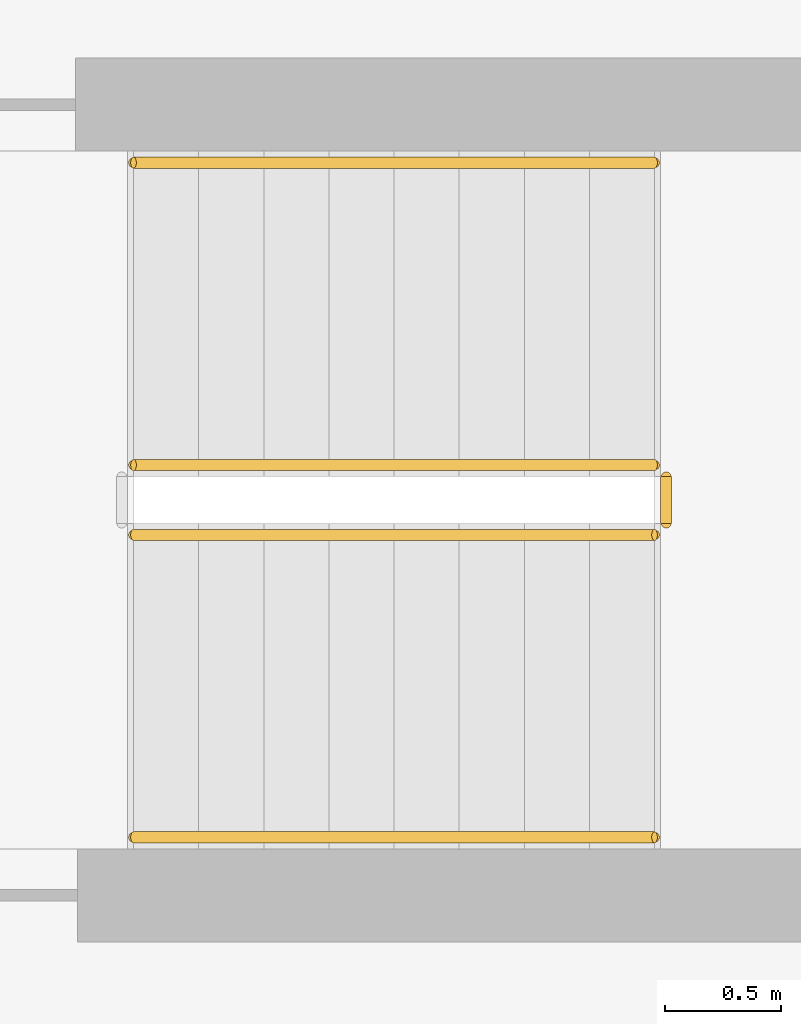
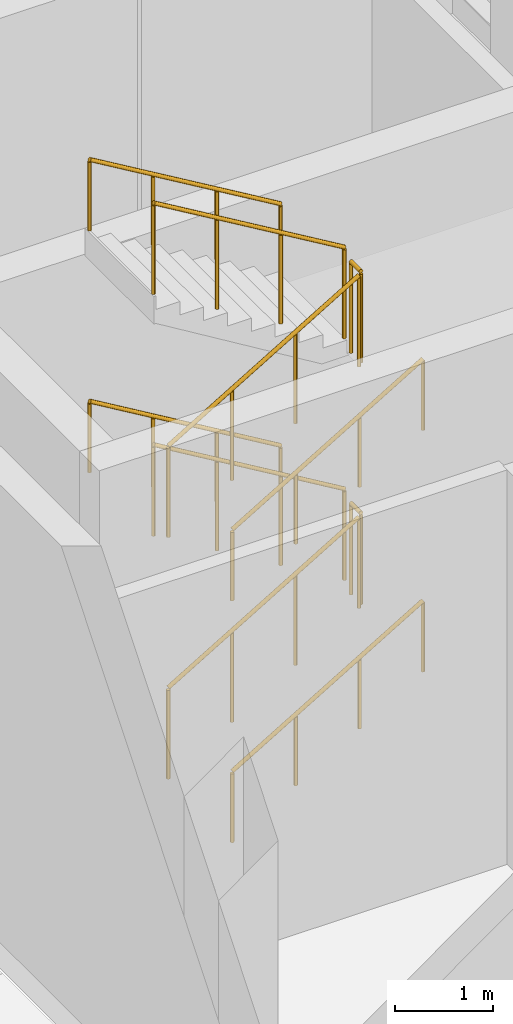
# One storey, part 33 of 34: 10 railings.
"""IFC4 building model written with IfcOpenShell, lengths in metres."""

from ifc_helpers import new_model, si_unit, direction, frame, origin, origin_2d, place, context, subcontext, project, spatial, circle, extrude, material, type_object, element, save


model = new_model("IFC4")

# Units and contexts
model_context = context("Model", 3, precision=1e-05, world=origin(), true_north=direction((0.0, 1.0)))
body_context = subcontext(model_context, "Body", "Model", "MODEL_VIEW")
ifc_project = project(units=[si_unit("LENGTHUNIT", "METRE"), si_unit("AREAUNIT", "SQUARE_METRE"), si_unit("VOLUMEUNIT", "CUBIC_METRE"), si_unit("PLANEANGLEUNIT", "RADIAN"), si_unit("MASSUNIT", "GRAM", prefix="KILO")], contexts=[model_context])

# Site, building, storey
site_placement = place(None, origin())
site = spatial("IfcSite", under=ifc_project, at=site_placement, CompositionType="ELEMENT")
building_placement = place(site_placement, origin())
building = spatial("IfcBuilding", under=site, at=building_placement, Name="Barlavira Tower and Art Museum", CompositionType="ELEMENT")
storey_placement = place(building_placement, origin())
storey = spatial("IfcBuildingStorey", under=building, at=storey_placement, Name="L00", CompositionType="ELEMENT", Elevation=0.0)

# Railings
ifc_material = material(Name="Brushed stainless steel", Category="steel")
railing_type_1 = type_object("IfcRailingType", Name="Interior Void and Landing Guard Railing 1150", PredefinedType="GUARDRAIL", material=ifc_material)
railing_1_placement = place(storey_placement, frame((32.070068359375, 17.949951171875, 0.166748046875)))
element("IfcRailing", 1, at=railing_1_placement, inside=storey, type_object=railing_type_1, Name="L00 ST-M2 stair guard 1", PredefinedType="GUARDRAIL", context=body_context, shape_type="SweptSolid", body=[
    extrude(circle(Radius=0.02392578125, at=origin_2d()), frame((0.0, 0.0, 1.1259765625), z_axis=(0.859305625298, 0.0, 0.511462454469), x_axis=(0.0, 1.0, 0.0)), (0.0, 0.0, 1.0), 2.606689453125),
    extrude(circle(Radius=0.02099609375, at=origin_2d()), origin(), (0.0, 0.0, 1.0), 1.101806640625),
    extrude(circle(Radius=0.02099609375, at=origin_2d()), frame((0.74658203125, 0.0, 0.4443359375)), (0.0, 0.0, 1.0), 1.101806640625),
    extrude(circle(Radius=0.02099609375, at=origin_2d()), frame((1.493408203125, 0.0, 0.888916015625)), (0.0, 0.0, 1.0), 1.101806640625),
    extrude(circle(Radius=0.02099609375, at=origin_2d()), frame((2.239990234375, 0.0, 1.333251953125)), (0.0, 0.0, 1.0), 1.101806640625),
])
railing_2_placement = place(storey_placement, frame((34.360107421875, 18.0, 1.5)))
element("IfcRailing", 2, at=railing_2_placement, inside=storey, type_object=railing_type_1, Name="L00 ST-M2 stair guard 2", PredefinedType="GUARDRAIL", context=body_context, shape_type="SweptSolid", body=[
    extrude(circle(Radius=0.02392578125, at=origin_2d()), frame((0.0, 0.0, 1.1259765625), z_axis=(0.0, 1.0, 0.0), x_axis=(-1.0, 0.0, 0.0)), (0.0, 0.0, 1.0), 0.199951171875),
    extrude(circle(Radius=0.02099609375, at=origin_2d()), origin(), (0.0, 0.0, 1.0), 1.101806640625),
    extrude(circle(Radius=0.02099609375, at=origin_2d()), frame((0.0, 0.199951171875, 0.0)), (0.0, 0.0, 1.0), 1.101806640625),
])
railing_3_placement = place(storey_placement, frame((34.31005859375, 18.25, 1.666748046875)))
element("IfcRailing", 3, at=railing_3_placement, inside=storey, type_object=railing_type_1, Name="L00 ST-M2 stair guard 3", PredefinedType="GUARDRAIL", context=body_context, shape_type="SweptSolid", body=[
    extrude(circle(Radius=0.02392578125, at=origin_2d()), frame((0.0, 0.0, 1.1259765625), z_axis=(-0.859305625298, 0.0, 0.511462454469), x_axis=(0.0, -1.0, 0.0)), (0.0, 0.0, 1.0), 2.606689453125),
    extrude(circle(Radius=0.02099609375, at=origin_2d()), origin(), (0.0, 0.0, 1.0), 1.101806640625),
    extrude(circle(Radius=0.02099609375, at=origin_2d()), frame((-0.74658203125, 0.0, 0.4443359375)), (0.0, 0.0, 1.0), 1.101806640625),
    extrude(circle(Radius=0.02099609375, at=origin_2d()), frame((-1.493408203125, 0.0, 0.888916015625)), (0.0, 0.0, 1.0), 1.101806640625),
    extrude(circle(Radius=0.02099609375, at=origin_2d()), frame((-2.239990234375, 0.0, 1.333251953125)), (0.0, 0.0, 1.0), 1.101806640625),
])
railing_4_placement = place(storey_placement, frame((32.070068359375, 17.949951171875, 3.166748046875)))
element("IfcRailing", 4, at=railing_4_placement, inside=storey, type_object=railing_type_1, Name="L00 ST-M2 stair guard 5", PredefinedType="GUARDRAIL", context=body_context, shape_type="SweptSolid", body=[
    extrude(circle(Radius=0.02392578125, at=origin_2d()), frame((0.0, 0.0, 1.1259765625), z_axis=(0.859305625298, 0.0, 0.511462454469), x_axis=(0.0, 1.0, 0.0)), (0.0, 0.0, 1.0), 2.606689453125),
    extrude(circle(Radius=0.02099609375, at=origin_2d()), origin(), (0.0, 0.0, 1.0), 1.101806640625),
    extrude(circle(Radius=0.02099609375, at=origin_2d()), frame((0.74658203125, 0.0, 0.4443359375)), (0.0, 0.0, 1.0), 1.101806640625),
    extrude(circle(Radius=0.02099609375, at=origin_2d()), frame((1.493408203125, 0.0, 0.888916015625)), (0.0, 0.0, 1.0), 1.101806640625),
    extrude(circle(Radius=0.02099609375, at=origin_2d()), frame((2.239990234375, 0.0, 1.333251953125)), (0.0, 0.0, 1.0), 1.101806640625),
])
railing_5_placement = place(storey_placement, frame((34.360107421875, 18.0, 4.5)))
element("IfcRailing", 5, at=railing_5_placement, inside=storey, type_object=railing_type_1, Name="L00 ST-M2 stair guard 6", PredefinedType="GUARDRAIL", context=body_context, shape_type="SweptSolid", body=[
    extrude(circle(Radius=0.02392578125, at=origin_2d()), frame((0.0, 0.0, 1.1259765625), z_axis=(0.0, 1.0, 0.0), x_axis=(-1.0, 0.0, 0.0)), (0.0, 0.0, 1.0), 0.199951171875),
    extrude(circle(Radius=0.02099609375, at=origin_2d()), origin(), (0.0, 0.0, 1.0), 1.101806640625),
    extrude(circle(Radius=0.02099609375, at=origin_2d()), frame((0.0, 0.199951171875, 0.0)), (0.0, 0.0, 1.0), 1.101806640625),
])
railing_6_placement = place(storey_placement, frame((34.31005859375, 18.25, 4.666748046875)))
element("IfcRailing", 6, at=railing_6_placement, inside=storey, type_object=railing_type_1, Name="L00 ST-M2 stair guard 7", PredefinedType="GUARDRAIL", context=body_context, shape_type="SweptSolid", body=[
    extrude(circle(Radius=0.02392578125, at=origin_2d()), frame((0.0, 0.0, 1.1259765625), z_axis=(-0.859305625298, 0.0, 0.511462454469), x_axis=(0.0, -1.0, 0.0)), (0.0, 0.0, 1.0), 2.606689453125),
    extrude(circle(Radius=0.02099609375, at=origin_2d()), origin(), (0.0, 0.0, 1.0), 1.101806640625),
    extrude(circle(Radius=0.02099609375, at=origin_2d()), frame((-0.74658203125, 0.0, 0.4443359375)), (0.0, 0.0, 1.0), 1.101806640625),
    extrude(circle(Radius=0.02099609375, at=origin_2d()), frame((-1.493408203125, 0.0, 0.888916015625)), (0.0, 0.0, 1.0), 1.101806640625),
    extrude(circle(Radius=0.02099609375, at=origin_2d()), frame((-2.239990234375, 0.0, 1.333251953125)), (0.0, 0.0, 1.0), 1.101806640625),
])
railing_type_2 = type_object("IfcRailingType", Name="Stair Pitch Tubular Steel Handrail 920", PredefinedType="HANDRAIL", material=ifc_material)
railing_7_placement = place(storey_placement, frame((32.070068359375, 16.64990234375, 0.166748046875)))
element("IfcRailing", 7, at=railing_7_placement, inside=storey, type_object=railing_type_2, Name="L00 ST-M2 stair handrail 1", PredefinedType="HANDRAIL", context=body_context, shape_type="SweptSolid", body=[
    extrude(circle(Radius=0.02392578125, at=origin_2d()), frame((0.0, 0.0, 0.8759765625), z_axis=(0.859305625298, 0.0, 0.511462454469), x_axis=(0.0, 1.0, 0.0)), (0.0, 0.0, 1.0), 2.606689453125),
    extrude(circle(Radius=0.02099609375, at=origin_2d()), origin(), (0.0, 0.0, 1.0), 0.851806640625),
    extrude(circle(Radius=0.02099609375, at=origin_2d()), frame((0.74658203125, 0.0, 0.4443359375)), (0.0, 0.0, 1.0), 0.851806640625),
    extrude(circle(Radius=0.02099609375, at=origin_2d()), frame((1.493408203125, 0.0, 0.888916015625)), (0.0, 0.0, 1.0), 0.851806640625),
    extrude(circle(Radius=0.02099609375, at=origin_2d()), frame((2.239990234375, 0.0, 1.333251953125)), (0.0, 0.0, 1.0), 0.851806640625),
])
railing_8_placement = place(storey_placement, frame((34.31005859375, 19.550048828125, 1.666748046875)))
element("IfcRailing", 8, at=railing_8_placement, inside=storey, type_object=railing_type_2, Name="L00 ST-M2 stair handrail 2", PredefinedType="HANDRAIL", context=body_context, shape_type="SweptSolid", body=[
    extrude(circle(Radius=0.02392578125, at=origin_2d()), frame((0.0, 0.0, 0.8759765625), z_axis=(-0.859305625298, 0.0, 0.511462454469), x_axis=(0.0, -1.0, 0.0)), (0.0, 0.0, 1.0), 2.606689453125),
    extrude(circle(Radius=0.02099609375, at=origin_2d()), origin(), (0.0, 0.0, 1.0), 0.851806640625),
    extrude(circle(Radius=0.02099609375, at=origin_2d()), frame((-0.74658203125, 0.0, 0.4443359375)), (0.0, 0.0, 1.0), 0.851806640625),
    extrude(circle(Radius=0.02099609375, at=origin_2d()), frame((-1.493408203125, 0.0, 0.888916015625)), (0.0, 0.0, 1.0), 0.851806640625),
    extrude(circle(Radius=0.02099609375, at=origin_2d()), frame((-2.239990234375, 0.0, 1.333251953125)), (0.0, 0.0, 1.0), 0.851806640625),
])
railing_9_placement = place(storey_placement, frame((32.070068359375, 16.64990234375, 3.166748046875)))
element("IfcRailing", 9, at=railing_9_placement, inside=storey, type_object=railing_type_2, Name="L00 ST-M2 stair handrail 3", PredefinedType="HANDRAIL", context=body_context, shape_type="SweptSolid", body=[
    extrude(circle(Radius=0.02392578125, at=origin_2d()), frame((0.0, 0.0, 0.8759765625), z_axis=(0.859305625298, 0.0, 0.511462454469), x_axis=(0.0, 1.0, 0.0)), (0.0, 0.0, 1.0), 2.606689453125),
    extrude(circle(Radius=0.02099609375, at=origin_2d()), origin(), (0.0, 0.0, 1.0), 0.851806640625),
    extrude(circle(Radius=0.02099609375, at=origin_2d()), frame((0.74658203125, 0.0, 0.4443359375)), (0.0, 0.0, 1.0), 0.851806640625),
    extrude(circle(Radius=0.02099609375, at=origin_2d()), frame((1.493408203125, 0.0, 0.888916015625)), (0.0, 0.0, 1.0), 0.851806640625),
    extrude(circle(Radius=0.02099609375, at=origin_2d()), frame((2.239990234375, 0.0, 1.333251953125)), (0.0, 0.0, 1.0), 0.851806640625),
])
railing_10_placement = place(storey_placement, frame((34.31005859375, 19.550048828125, 4.666748046875)))
element("IfcRailing", 10, at=railing_10_placement, inside=storey, type_object=railing_type_2, Name="L00 ST-M2 stair handrail 4", PredefinedType="HANDRAIL", context=body_context, shape_type="SweptSolid", body=[
    extrude(circle(Radius=0.02392578125, at=origin_2d()), frame((0.0, 0.0, 0.8759765625), z_axis=(-0.859305625298, 0.0, 0.511462454469), x_axis=(0.0, -1.0, 0.0)), (0.0, 0.0, 1.0), 2.606689453125),
    extrude(circle(Radius=0.02099609375, at=origin_2d()), origin(), (0.0, 0.0, 1.0), 0.851806640625),
    extrude(circle(Radius=0.02099609375, at=origin_2d()), frame((-0.74658203125, 0.0, 0.4443359375)), (0.0, 0.0, 1.0), 0.851806640625),
    extrude(circle(Radius=0.02099609375, at=origin_2d()), frame((-1.493408203125, 0.0, 0.888916015625)), (0.0, 0.0, 1.0), 0.851806640625),
    extrude(circle(Radius=0.02099609375, at=origin_2d()), frame((-2.239990234375, 0.0, 1.333251953125)), (0.0, 0.0, 1.0), 0.851806640625),
])

save(model, "model.ifc")
